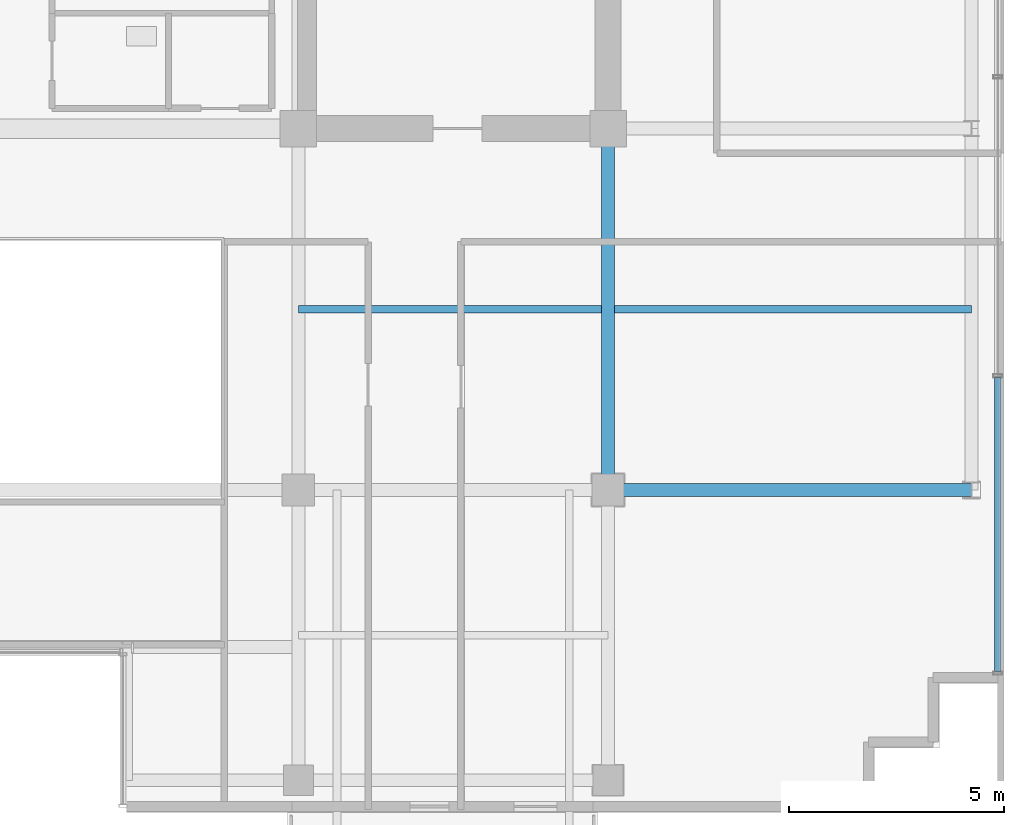
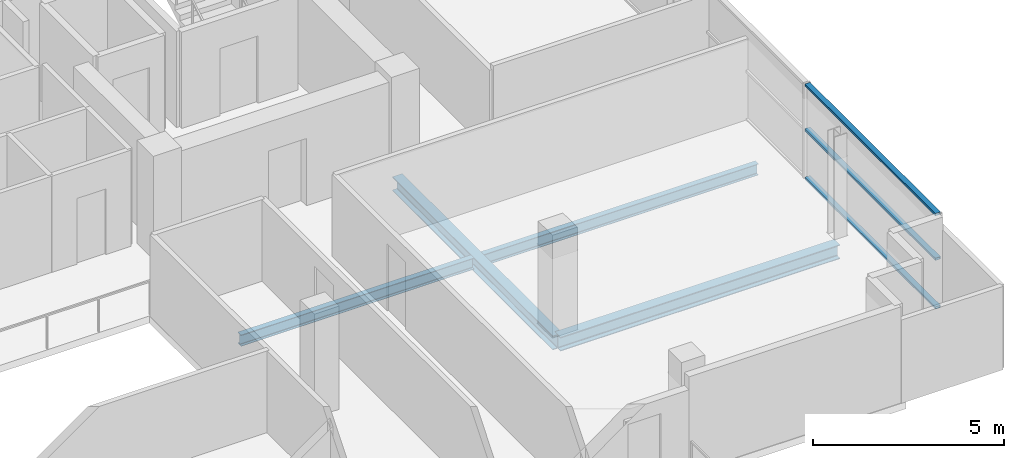
# One storey, part 8 of 24: 4 beams, 3 members, 1 element without a shape of its own.
"""IFC4 building model written with IfcOpenShell, lengths in metres."""

from ifc_helpers import new_model, si_unit, direction, frame, origin, origin_2d, place, context, subcontext, project, spatial, hollow_rectangle, i_section, extrude, source, transform, mapped, material, layer, layer_set, material_profile, profile_set, type_object, element, aggregate, save


model = new_model("IFC4")

# Units and contexts
model_context = context("Model", 3, precision=1e-05, world=origin(), true_north=direction((0.0, 1.0)))
body_context = subcontext(model_context, "Body", "Model", "MODEL_VIEW")
ifc_project = project(units=[si_unit("LENGTHUNIT", "METRE"), si_unit("AREAUNIT", "SQUARE_METRE"), si_unit("VOLUMEUNIT", "CUBIC_METRE"), si_unit("PLANEANGLEUNIT", "RADIAN"), si_unit("MASSUNIT", "GRAM", prefix="KILO")], contexts=[model_context])

# Site, building, storey
site_placement = place(None, origin())
site = spatial("IfcSite", under=ifc_project, at=site_placement, CompositionType="ELEMENT")
building_placement = place(site_placement, origin())
building = spatial("IfcBuilding", under=site, at=building_placement, Name="Zarnakvel Exchange Tower", CompositionType="ELEMENT")
storey_placement = place(building_placement, frame((0.0, 0.0, 235.300048828125)))
storey = spatial("IfcBuildingStorey", under=building, at=storey_placement, Name="L66", CompositionType="ELEMENT", Elevation=235.300048828125)

# Beams
ifc_material_1 = material(Name="Steel S355", Category="steel")
ifc_material_profile_1 = material_profile(ifc_material_1, i_section(OverallWidth=0.169921875, OverallDepth=0.360107421875, WebThickness=0.008056640625, FlangeThickness=0.0126953125, FilletRadius=0.01806640625, at=origin_2d()))
ifc_profile_set_1 = profile_set([ifc_material_profile_1], Name="Steel S355")
beam_type_1 = type_object("IfcBeamType", Name="B-07", PredefinedType="JOIST", material=ifc_profile_set_1)
beam_1_placement = place(storey_placement, frame((7.199951171875, -5.39990234375, -0.405029296875), z_axis=(1.0, 0.0, 0.0), x_axis=(0.0, 1.0, 0.0)))
element("IfcBeam", 1, at=beam_1_placement, inside=storey, type_object=beam_type_1, Name="L66 Composite Floor Secondary Joist", PredefinedType="JOIST", context=body_context, shape_type="SweptSolid", body=[
    extrude(i_section(OverallWidth=0.169921875, OverallDepth=0.360107421875, WebThickness=0.008056640625, FlangeThickness=0.0126953125, FilletRadius=0.01806640625, at=origin_2d()), origin(), (0.0, 0.0, 1.0), 7.050048828125),
])
beam_2_placement = place(storey_placement, frame((14.550048828125, -5.39990234375, -0.405029296875), z_axis=(1.0, 0.0, 0.0), x_axis=(0.0, 1.0, 0.0)))
element("IfcBeam", 2, at=beam_2_placement, inside=storey, type_object=beam_type_1, Name="L66 Composite Floor Secondary Joist", PredefinedType="JOIST", context=body_context, shape_type="SweptSolid", body=[
    extrude(i_section(OverallWidth=0.169921875, OverallDepth=0.360107421875, WebThickness=0.008056640625, FlangeThickness=0.0126953125, FilletRadius=0.01806640625, at=origin_2d()), origin(), (0.0, 0.0, 1.0), 8.300048828125),
])
ifc_material_profile_2 = material_profile(ifc_material_1, i_section(OverallWidth=0.300048828125, OverallDepth=0.449951171875, WebThickness=0.013916015625, FlangeThickness=0.02587890625, FilletRadius=0.027099609375, at=origin_2d()))
ifc_profile_set_2 = profile_set([ifc_material_profile_2], Name="Steel S355")
beam_type_2 = type_object("IfcBeamType", Name="G-07", PredefinedType="BEAM", material=ifc_profile_set_2)
beam_3_placement = place(storey_placement, frame((14.39990234375, -9.60009765625, -0.449951171875), z_axis=(1.0, 0.0, 0.0), x_axis=(0.0, 1.0, 0.0)))
element("IfcBeam", 3, at=beam_3_placement, inside=storey, type_object=beam_type_2, Name="L66 Tower E-W Frame Beam", PredefinedType="BEAM", context=body_context, shape_type="SweptSolid", body=[
    extrude(i_section(OverallWidth=0.300048828125, OverallDepth=0.449951171875, WebThickness=0.013916015625, FlangeThickness=0.02587890625, FilletRadius=0.027099609375, at=origin_2d()), origin(), (0.0, 0.0, 1.0), 8.4501953125),
])
beam_4_placement = place(storey_placement, frame((14.39990234375, -9.60009765625, -0.449951171875), z_axis=(0.0, 1.0, 0.0), x_axis=(-1.0, 0.0, 0.0)))
element("IfcBeam", 4, at=beam_4_placement, inside=storey, type_object=beam_type_2, Name="L66 Tower N-S Frame Beam", PredefinedType="BEAM", context=body_context, shape_type="SweptSolid", body=[
    extrude(i_section(OverallWidth=0.300048828125, OverallDepth=0.449951171875, WebThickness=0.013916015625, FlangeThickness=0.02587890625, FilletRadius=0.027099609375, at=origin_2d()), origin(), (0.0, 0.0, 1.0), 8.400146484375),
])

# Curtain wall, members
ifc_material_2 = material(Name="Architectural Bronze Anodised Aluminium", Category="aluminium")
ifc_layer = layer(ifc_material_2, 0.199951171875)
ifc_layer_set = layer_set([ifc_layer], Name="Architectural Bronze Anodised Aluminium")
curtain_wall_type = type_object("IfcCurtainWallType", Name="CW-04", PredefinedType="NOTDEFINED", material=ifc_layer_set)
curtain_wall_placement = place(storey_placement, origin())
curtain_wall = element("IfcCurtainWall", 5, at=curtain_wall_placement, inside=storey, type_object=curtain_wall_type, Name="L66 Curtain Wall CW-L66-E1 (CW-04)", PredefinedType="NOTDEFINED")
ifc_material_profile_3 = material_profile(ifc_material_2, hollow_rectangle(XDim=0.159912109375, YDim=0.074951171875, WallThickness=0.00390625, at=origin_2d()))
ifc_profile_set_3 = profile_set([ifc_material_profile_3], Name="Architectural Bronze Anodised Aluminium")
member_type = type_object("IfcMemberType", Name="CWT-04", PredefinedType="USERDEFINED", material=ifc_profile_set_3)
shared_shape = source(origin(), body_context, "Body", "SweptSolid", [
    extrude(hollow_rectangle(XDim=0.159912109375, YDim=0.074951171875, WallThickness=0.00390625, at=origin_2d()), origin(), (0.0, 0.0, 1.0), 6.83740234375),
])
member_1_placement = place(storey_placement, frame((23.4599609375, -13.824951171875, 0.037353515625), z_axis=(0.0, 1.0, 0.0), x_axis=(-1.0, 0.0, 0.0)))
member_1 = element("IfcMember", 6, at=member_1_placement, type_object=member_type, Name="CW-04 transom 1.1", ObjectType="TRANSOM", PredefinedType="USERDEFINED", context=body_context, shape_type="MappedRepresentation", body=[
    mapped(shared_shape, transform((0.0, 0.0, 0.0), x_axis=(1.0, 0.0, 0.0), y_axis=(0.0, 1.0, 0.0), z_axis=(0.0, 0.0, 1.0), scale=1.0)),
])
member_2_placement = place(storey_placement, frame((23.4599609375, -13.824951171875, 1.588623046875), z_axis=(0.0, 1.0, 0.0), x_axis=(-1.0, 0.0, 0.0)))
member_2 = element("IfcMember", 7, at=member_2_placement, type_object=member_type, Name="CW-04 transom 1.2", ObjectType="TRANSOM", PredefinedType="USERDEFINED", context=body_context, shape_type="MappedRepresentation", body=[
    mapped(shared_shape, transform((0.0, 0.0, 0.0), x_axis=(1.0, 0.0, 0.0), y_axis=(0.0, 1.0, 0.0), z_axis=(0.0, 0.0, 1.0), scale=1.0)),
])
member_3_placement = place(storey_placement, frame((23.4599609375, -13.824951171875, 3.017333984375), z_axis=(0.0, 1.0, 0.0), x_axis=(-1.0, 0.0, 0.0)))
member_3 = element("IfcMember", 8, at=member_3_placement, type_object=member_type, Name="CW-04 transom 1.3", ObjectType="TRANSOM", PredefinedType="USERDEFINED", context=body_context, shape_type="MappedRepresentation", body=[
    mapped(shared_shape, transform((0.0, 0.0, 0.0), x_axis=(1.0, 0.0, 0.0), y_axis=(0.0, 1.0, 0.0), z_axis=(0.0, 0.0, 1.0), scale=1.0)),
])
aggregate(curtain_wall, [member_1, member_2, member_3])

save(model, "model.ifc")
